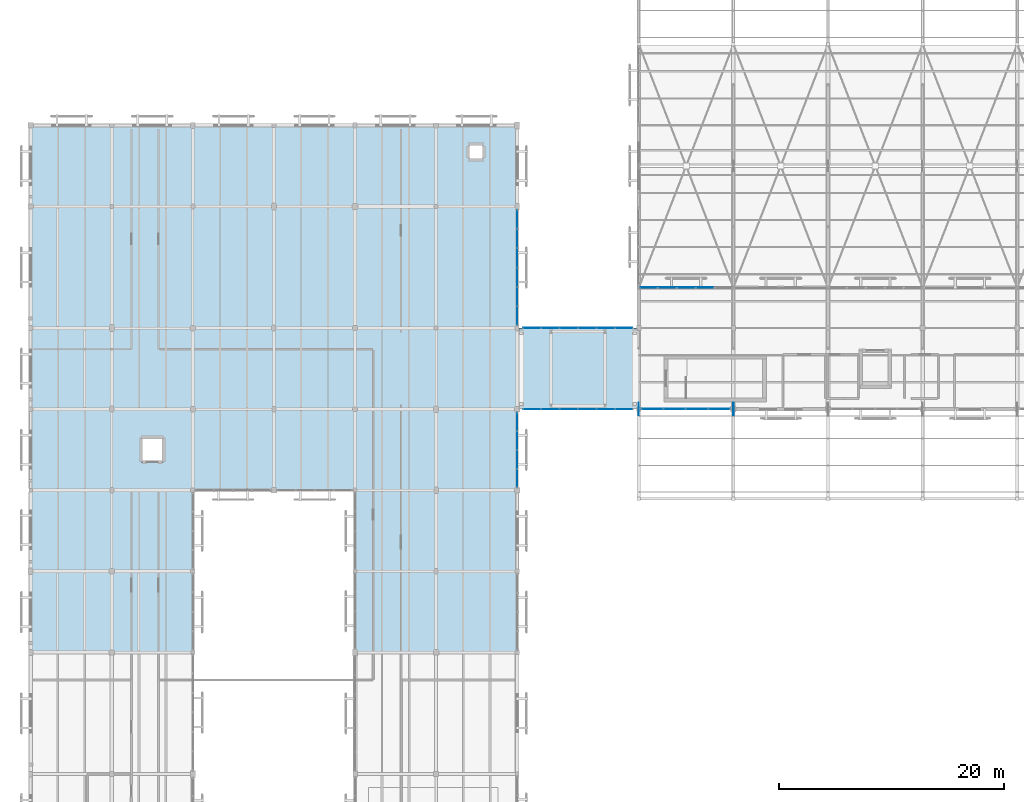
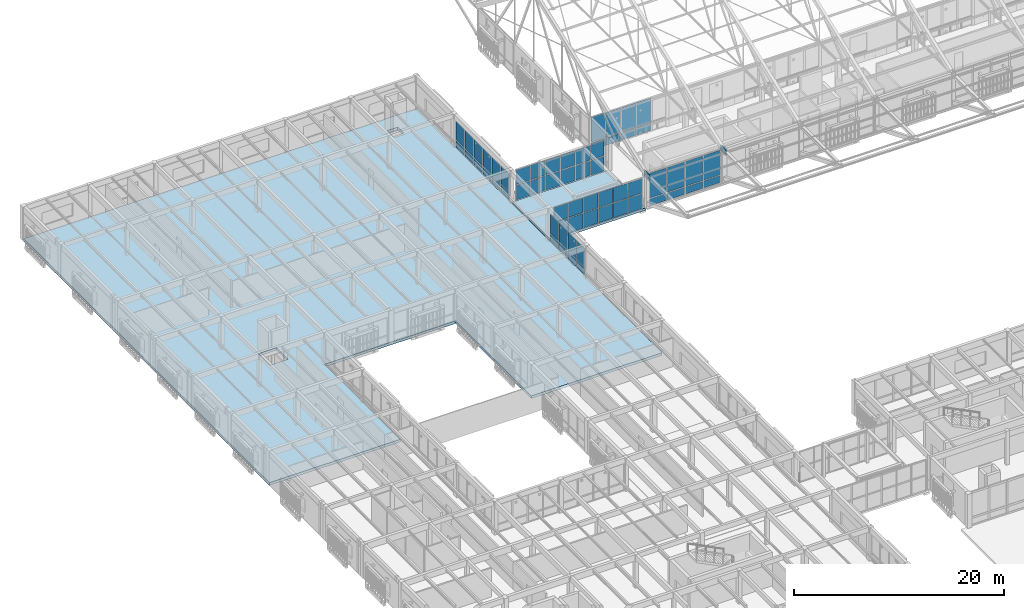
# One storey, part 168 of 217: 62 plates, 2 slabs, 6 elements without a shape of their own.
"""IFC4 building model written with IfcOpenShell, lengths in metres."""

from ifc_helpers import new_model, si_unit, direction, frame, origin, origin_2d, place, context, subcontext, project, spatial, polyline, rectangle, outline, extrude, material, layer, layer_set, type_object, element, aggregate, save


model = new_model("IFC4")

# Units and contexts
model_context = context("Model", 3, precision=1e-05, world=origin(), true_north=direction((0.0, 1.0)))
body_context = subcontext(model_context, "Body", "Model", "MODEL_VIEW")
ifc_project = project(units=[si_unit("LENGTHUNIT", "METRE"), si_unit("AREAUNIT", "SQUARE_METRE"), si_unit("VOLUMEUNIT", "CUBIC_METRE"), si_unit("PLANEANGLEUNIT", "RADIAN"), si_unit("MASSUNIT", "GRAM", prefix="KILO")], contexts=[model_context])

# Site, building, storey
site_placement = place(None, origin())
site = spatial("IfcSite", under=ifc_project, at=site_placement, CompositionType="ELEMENT")
building_placement = place(site_placement, origin())
building = spatial("IfcBuilding", under=site, at=building_placement, Name="Mazaris Harbour Polytechnic", CompositionType="ELEMENT")
storey_placement = place(building_placement, frame((0.0, 0.0, 9.60009765625)))
storey = spatial("IfcBuildingStorey", under=building, at=storey_placement, Name="L02", CompositionType="ELEMENT", Elevation=9.60009765625)

# Curtain wall, plates
ifc_material_1 = material(Name="Anodised Bronze Aluminium and Low-E Glass", Category="aluminium")
ifc_layer_1 = layer(ifc_material_1, 0.14990234375, Name="Anodised Bronze Aluminium and Low-E Glass")
ifc_layer_set_1 = layer_set([ifc_layer_1], Name="Anodised Bronze Aluminium and Low-E Glass")
curtain_wall_type_1 = type_object("IfcCurtainWallType", Name="Workshop Clerestory Curtain Wall", PredefinedType="NOTDEFINED", material=ifc_layer_set_1)
curtain_wall_1_placement = place(storey_placement, origin())
curtain_wall_1 = element("IfcCurtainWall", 1, at=curtain_wall_1_placement, inside=storey, type_object=curtain_wall_type_1, Name="V1 L02 Curtain Wall 25", PredefinedType="NOTDEFINED")
ifc_material_2 = material(Name="Acoustic Low-E Double Glazing", Category="glass")
ifc_layer_2 = layer(ifc_material_2, 0.033935546875, Name="Acoustic Low-E Double Glazing")
ifc_layer_set_2 = layer_set([ifc_layer_2], Name="Acoustic Low-E Double Glazing")
plate_type_1 = type_object("IfcPlateType", Name="Acoustic Laminated Glass Panel 34", PredefinedType="CURTAIN_PANEL", material=ifc_layer_set_2)
plate_1_placement = place(storey_placement, frame((61.135986328125, 75.60009765625, 0.079833984375), z_axis=(0.0, 0.0, 1.0), x_axis=(-1.0, 0.0, 0.0)))
plate_1 = element("IfcPlate", 2, at=plate_1_placement, type_object=plate_type_1, Name="CW-04 panel 1.1", PredefinedType="CURTAIN_PANEL", context=body_context, shape_type="SweptSolid", body=[
    extrude(rectangle(XDim=1.843994140625, YDim=0.033935546875, at=origin_2d()), origin(), (0.0, 0.0, 1.0), 0.830078125),
])
plate_2_placement = place(storey_placement, frame((61.135986328125, 75.60009765625, 0.98974609375), z_axis=(0.0, 0.0, 1.0), x_axis=(-1.0, 0.0, 0.0)))
plate_2 = element("IfcPlate", 3, at=plate_2_placement, type_object=plate_type_1, Name="CW-04 panel 1.2", PredefinedType="CURTAIN_PANEL", context=body_context, shape_type="SweptSolid", body=[
    extrude(rectangle(XDim=1.843994140625, YDim=0.033935546875, at=origin_2d()), origin(), (0.0, 0.0, 1.0), 2.889892578125),
])
plate_3_placement = place(storey_placement, frame((59.1669921875, 75.60009765625, 0.079833984375), z_axis=(0.0, 0.0, 1.0), x_axis=(-1.0, 0.0, 0.0)))
plate_3 = element("IfcPlate", 4, at=plate_3_placement, type_object=plate_type_1, Name="CW-04 panel 2.1", PredefinedType="CURTAIN_PANEL", context=body_context, shape_type="SweptSolid", body=[
    extrude(rectangle(XDim=1.89404296875, YDim=0.033935546875, at=origin_2d()), origin(), (0.0, 0.0, 1.0), 0.830078125),
])
plate_4_placement = place(storey_placement, frame((59.1669921875, 75.60009765625, 0.98974609375), z_axis=(0.0, 0.0, 1.0), x_axis=(-1.0, 0.0, 0.0)))
plate_4 = element("IfcPlate", 5, at=plate_4_placement, type_object=plate_type_1, Name="CW-04 panel 2.2", PredefinedType="CURTAIN_PANEL", context=body_context, shape_type="SweptSolid", body=[
    extrude(rectangle(XDim=1.89404296875, YDim=0.033935546875, at=origin_2d()), origin(), (0.0, 0.0, 1.0), 2.889892578125),
])
plate_5_placement = place(storey_placement, frame((57.173095703125, 75.60009765625, 0.079833984375), z_axis=(0.0, 0.0, 1.0), x_axis=(-1.0, 0.0, 0.0)))
plate_5 = element("IfcPlate", 6, at=plate_5_placement, type_object=plate_type_1, Name="CW-04 panel 3.1", PredefinedType="CURTAIN_PANEL", context=body_context, shape_type="SweptSolid", body=[
    extrude(rectangle(XDim=1.89404296875, YDim=0.033935546875, at=origin_2d()), origin(), (0.0, 0.0, 1.0), 0.830078125),
])
plate_6_placement = place(storey_placement, frame((57.173095703125, 75.60009765625, 0.98974609375), z_axis=(0.0, 0.0, 1.0), x_axis=(-1.0, 0.0, 0.0)))
plate_6 = element("IfcPlate", 7, at=plate_6_placement, type_object=plate_type_1, Name="CW-04 panel 3.2", PredefinedType="CURTAIN_PANEL", context=body_context, shape_type="SweptSolid", body=[
    extrude(rectangle(XDim=1.89404296875, YDim=0.033935546875, at=origin_2d()), origin(), (0.0, 0.0, 1.0), 2.889892578125),
])
plate_7_placement = place(storey_placement, frame((55.2041015625, 75.60009765625, 0.079833984375), z_axis=(0.0, 0.0, 1.0), x_axis=(-1.0, 0.0, 0.0)))
plate_7 = element("IfcPlate", 8, at=plate_7_placement, type_object=plate_type_1, Name="CW-04 panel 4.1", PredefinedType="CURTAIN_PANEL", context=body_context, shape_type="SweptSolid", body=[
    extrude(rectangle(XDim=1.843994140625, YDim=0.033935546875, at=origin_2d()), origin(), (0.0, 0.0, 1.0), 0.830078125),
])
plate_8_placement = place(storey_placement, frame((55.2041015625, 75.60009765625, 0.98974609375), z_axis=(0.0, 0.0, 1.0), x_axis=(-1.0, 0.0, 0.0)))
plate_8 = element("IfcPlate", 9, at=plate_8_placement, type_object=plate_type_1, Name="CW-04 panel 4.2", PredefinedType="CURTAIN_PANEL", context=body_context, shape_type="SweptSolid", body=[
    extrude(rectangle(XDim=1.843994140625, YDim=0.033935546875, at=origin_2d()), origin(), (0.0, 0.0, 1.0), 2.889892578125),
])
aggregate(curtain_wall_1, [plate_1, plate_2, plate_3, plate_4, plate_5, plate_6, plate_7, plate_8])

curtain_wall_2_placement = place(storey_placement, origin())
curtain_wall_2 = element("IfcCurtainWall", 10, at=curtain_wall_2_placement, inside=storey, type_object=curtain_wall_type_1, Name="V1 L02 Curtain Wall 29", PredefinedType="NOTDEFINED")
plate_9_placement = place(storey_placement, frame((54.871337890625, 86.39990234375, 0.079833984375), z_axis=(0.0, 0.0, 1.0), x_axis=(1.0, 0.0, 0.0)))
plate_9 = element("IfcPlate", 11, at=plate_9_placement, type_object=plate_type_1, Name="CW-04 panel 1.1", PredefinedType="CURTAIN_PANEL", context=body_context, shape_type="SweptSolid", body=[
    extrude(rectangle(XDim=1.52685546875, YDim=0.033935546875, at=origin_2d()), origin(), (0.0, 0.0, 1.0), 0.830078125),
])
plate_10_placement = place(storey_placement, frame((54.871337890625, 86.39990234375, 0.98974609375), z_axis=(0.0, 0.0, 1.0), x_axis=(1.0, 0.0, 0.0)))
plate_10 = element("IfcPlate", 12, at=plate_10_placement, type_object=plate_type_1, Name="CW-04 panel 1.2", PredefinedType="CURTAIN_PANEL", context=body_context, shape_type="SweptSolid", body=[
    extrude(rectangle(XDim=1.52685546875, YDim=0.033935546875, at=origin_2d()), origin(), (0.0, 0.0, 1.0), 2.889892578125),
])
plate_11_placement = place(storey_placement, frame((56.523193359375, 86.39990234375, 0.079833984375), z_axis=(0.0, 0.0, 1.0), x_axis=(1.0, 0.0, 0.0)))
plate_11 = element("IfcPlate", 13, at=plate_11_placement, type_object=plate_type_1, Name="CW-04 panel 2.1", PredefinedType="CURTAIN_PANEL", context=body_context, shape_type="SweptSolid", body=[
    extrude(rectangle(XDim=1.576904296875, YDim=0.033935546875, at=origin_2d()), origin(), (0.0, 0.0, 1.0), 0.830078125),
])
plate_12_placement = place(storey_placement, frame((56.523193359375, 86.39990234375, 0.98974609375), z_axis=(0.0, 0.0, 1.0), x_axis=(1.0, 0.0, 0.0)))
plate_12 = element("IfcPlate", 14, at=plate_12_placement, type_object=plate_type_1, Name="CW-04 panel 2.2", PredefinedType="CURTAIN_PANEL", context=body_context, shape_type="SweptSolid", body=[
    extrude(rectangle(XDim=1.576904296875, YDim=0.033935546875, at=origin_2d()), origin(), (0.0, 0.0, 1.0), 2.889892578125),
])
plate_13_placement = place(storey_placement, frame((58.199951171875, 86.39990234375, 0.079833984375), z_axis=(0.0, 0.0, 1.0), x_axis=(1.0, 0.0, 0.0)))
plate_13 = element("IfcPlate", 15, at=plate_13_placement, type_object=plate_type_1, Name="CW-04 panel 3.1", PredefinedType="CURTAIN_PANEL", context=body_context, shape_type="SweptSolid", body=[
    extrude(rectangle(XDim=1.576904296875, YDim=0.033935546875, at=origin_2d()), origin(), (0.0, 0.0, 1.0), 0.830078125),
])
plate_14_placement = place(storey_placement, frame((58.199951171875, 86.39990234375, 0.98974609375), z_axis=(0.0, 0.0, 1.0), x_axis=(1.0, 0.0, 0.0)))
plate_14 = element("IfcPlate", 16, at=plate_14_placement, type_object=plate_type_1, Name="CW-04 panel 3.2", PredefinedType="CURTAIN_PANEL", context=body_context, shape_type="SweptSolid", body=[
    extrude(rectangle(XDim=1.576904296875, YDim=0.033935546875, at=origin_2d()), origin(), (0.0, 0.0, 1.0), 2.889892578125),
])
plate_15_placement = place(storey_placement, frame((59.876708984375, 86.39990234375, 0.079833984375), z_axis=(0.0, 0.0, 1.0), x_axis=(1.0, 0.0, 0.0)))
plate_15 = element("IfcPlate", 17, at=plate_15_placement, type_object=plate_type_1, Name="CW-04 panel 4.1", PredefinedType="CURTAIN_PANEL", context=body_context, shape_type="SweptSolid", body=[
    extrude(rectangle(XDim=1.576904296875, YDim=0.033935546875, at=origin_2d()), origin(), (0.0, 0.0, 1.0), 0.830078125),
])
plate_16_placement = place(storey_placement, frame((59.876708984375, 86.39990234375, 0.98974609375), z_axis=(0.0, 0.0, 1.0), x_axis=(1.0, 0.0, 0.0)))
plate_16 = element("IfcPlate", 18, at=plate_16_placement, type_object=plate_type_1, Name="CW-04 panel 4.2", PredefinedType="CURTAIN_PANEL", context=body_context, shape_type="SweptSolid", body=[
    extrude(rectangle(XDim=1.576904296875, YDim=0.033935546875, at=origin_2d()), origin(), (0.0, 0.0, 1.0), 2.889892578125),
])
aggregate(curtain_wall_2, [plate_9, plate_10, plate_11, plate_12, plate_13, plate_14, plate_15, plate_16])

# Slabs
ifc_material_3 = material(Name="Glulam GL28h and Concrete C30/37", Category="concrete")
ifc_layer_3 = layer(ifc_material_3, 0.264892578125, Name="Glulam GL28h and Concrete C30/37")
ifc_layer_set_3 = layer_set([ifc_layer_3], Name="Glulam GL28h and Concrete C30/37")
slab_type_1 = type_object("IfcSlabType", Name="CLT Composite Floor 265", PredefinedType="FLOOR", material=ifc_layer_set_3)
slab_1_placement = place(storey_placement, frame((0.0, 0.0, -0.26513671875)))
element("IfcSlab", 19, at=slab_1_placement, inside=storey, type_object=slab_type_1, Name="PB-W2 L02 Bridge Deck", PredefinedType="FLOOR", context=body_context, shape_type="SweptSolid", body=[
    extrude(outline(polyline([(53.85009765625, 75.60009765625), (53.85009765625, 82.800048828125), (43.35009765625, 82.800048828125), (43.35009765625, 75.60009765625), (53.85009765625, 75.60009765625)])), origin(), (0.0, 0.0, 1.0), 0.26513671875),
])
ifc_material_4 = material(Name="Glulam GL28h and Concrete C30/37", Category="concrete")
ifc_layer_4 = layer(ifc_material_4, 0.31005859375, Name="Glulam GL28h and Concrete C30/37")
ifc_layer_set_4 = layer_set([ifc_layer_4], Name="Glulam GL28h and Concrete C30/37")
slab_type_2 = type_object("IfcSlabType", Name="CLT Library Stack Floor 310", PredefinedType="FLOOR", material=ifc_layer_set_4)
slab_2_placement = place(storey_placement, frame((0.0, 0.0, -0.31005859375)))
element("IfcSlab", 20, at=slab_2_placement, inside=storey, type_object=slab_type_2, Name="V4 L02 Floor Slab", PredefinedType="FLOOR", context=body_context, shape_type="SweptSolid", body=[
    extrude(outline(polyline([(43.199951171875, 54.0), (28.800048828125, 54.0), (28.800048828125, 68.39990234375), (14.39990234375, 68.39990234375), (14.39990234375, 54.0), (0.0, 54.0), (0.0, 100.800048828125), (43.199951171875, 100.800048828125), (43.199951171875, 54.0)]), holes=[polyline([(11.800048828125, 70.89990234375), (11.800048828125, 73.10009765625), (9.800048828125, 73.10009765625), (9.800048828125, 70.89990234375), (11.800048828125, 70.89990234375)]), polyline([(38.97998046875, 99.0), (38.97998046875, 97.8798828125), (40.10009765625, 97.8798828125), (40.10009765625, 99.0), (38.97998046875, 99.0)])]), origin(), (0.0, 0.0, 1.0), 0.31005859375),
])

# Curtain wall, plates
ifc_material_5 = material(Name="Anodised Bronze Aluminium and Low-E Glass", Category="aluminium")
ifc_layer_5 = layer(ifc_material_5, 0.159912109375, Name="Anodised Bronze Aluminium and Low-E Glass")
ifc_layer_set_5 = layer_set([ifc_layer_5], Name="Anodised Bronze Aluminium and Low-E Glass")
curtain_wall_type_2 = type_object("IfcCurtainWallType", Name="Cloister Court Curtain Wall", PredefinedType="NOTDEFINED", material=ifc_layer_set_5)
curtain_wall_3_placement = place(storey_placement, origin())
curtain_wall_3 = element("IfcCurtainWall", 21, at=curtain_wall_3_placement, inside=storey, type_object=curtain_wall_type_2, Name="V4 L02 Curtain Wall 131", PredefinedType="NOTDEFINED")
ifc_material_6 = material(Name="Low-E Double Glazing", Category="glass")
ifc_layer_6 = layer(ifc_material_6, 0.028076171875, Name="Low-E Double Glazing")
ifc_layer_set_6 = layer_set([ifc_layer_6], Name="Low-E Double Glazing")
plate_type_2 = type_object("IfcPlateType", Name="Low-E Vision Glass Panel 28", PredefinedType="CURTAIN_PANEL", material=ifc_layer_set_6)
plate_17_placement = place(storey_placement, frame((43.199951171875, 74.49609375, 0.079833984375), z_axis=(0.0, 0.0, 1.0), x_axis=(0.0, -1.0, 0.0)))
plate_17 = element("IfcPlate", 22, at=plate_17_placement, type_object=plate_type_2, Name="CW-02 panel 1.1", PredefinedType="CURTAIN_PANEL", context=body_context, shape_type="SweptSolid", body=[
    extrude(rectangle(XDim=1.56396484375, YDim=0.028076171875, at=origin_2d()), origin(), (0.0, 0.0, 1.0), 0.830078125),
])
plate_18_placement = place(storey_placement, frame((43.199951171875, 74.49609375, 0.989990234375), z_axis=(0.0, 0.0, 1.0), x_axis=(0.0, -1.0, 0.0)))
plate_18 = element("IfcPlate", 23, at=plate_18_placement, type_object=plate_type_2, Name="CW-02 panel 1.2", PredefinedType="CURTAIN_PANEL", context=body_context, shape_type="SweptSolid", body=[
    extrude(rectangle(XDim=1.56396484375, YDim=0.028076171875, at=origin_2d()), origin(), (0.0, 0.0, 1.0), 2.22998046875),
])
plate_19_placement = place(storey_placement, frame((43.199951171875, 72.83203125, 0.079833984375), z_axis=(0.0, 0.0, 1.0), x_axis=(0.0, -1.0, 0.0)))
plate_19 = element("IfcPlate", 24, at=plate_19_placement, type_object=plate_type_2, Name="CW-02 panel 2.1", PredefinedType="CURTAIN_PANEL", context=body_context, shape_type="SweptSolid", body=[
    extrude(rectangle(XDim=1.60400390625, YDim=0.028076171875, at=origin_2d()), origin(), (0.0, 0.0, 1.0), 0.830078125),
])
plate_20_placement = place(storey_placement, frame((43.199951171875, 72.83203125, 0.989990234375), z_axis=(0.0, 0.0, 1.0), x_axis=(0.0, -1.0, 0.0)))
plate_20 = element("IfcPlate", 25, at=plate_20_placement, type_object=plate_type_2, Name="CW-02 panel 2.2", PredefinedType="CURTAIN_PANEL", context=body_context, shape_type="SweptSolid", body=[
    extrude(rectangle(XDim=1.60400390625, YDim=0.028076171875, at=origin_2d()), origin(), (0.0, 0.0, 1.0), 2.22998046875),
])
plate_21_placement = place(storey_placement, frame((43.199951171875, 71.14794921875, 0.079833984375), z_axis=(0.0, 0.0, 1.0), x_axis=(0.0, -1.0, 0.0)))
plate_21 = element("IfcPlate", 26, at=plate_21_placement, type_object=plate_type_2, Name="CW-02 panel 3.1", PredefinedType="CURTAIN_PANEL", context=body_context, shape_type="SweptSolid", body=[
    extrude(rectangle(XDim=1.60400390625, YDim=0.028076171875, at=origin_2d()), origin(), (0.0, 0.0, 1.0), 0.830078125),
])
plate_22_placement = place(storey_placement, frame((43.199951171875, 71.14794921875, 0.989990234375), z_axis=(0.0, 0.0, 1.0), x_axis=(0.0, -1.0, 0.0)))
plate_22 = element("IfcPlate", 27, at=plate_22_placement, type_object=plate_type_2, Name="CW-02 panel 3.2", PredefinedType="CURTAIN_PANEL", context=body_context, shape_type="SweptSolid", body=[
    extrude(rectangle(XDim=1.60400390625, YDim=0.028076171875, at=origin_2d()), origin(), (0.0, 0.0, 1.0), 2.22998046875),
])
plate_23_placement = place(storey_placement, frame((43.199951171875, 69.48388671875, 0.079833984375), z_axis=(0.0, 0.0, 1.0), x_axis=(0.0, -1.0, 0.0)))
plate_23 = element("IfcPlate", 28, at=plate_23_placement, type_object=plate_type_2, Name="CW-02 panel 4.1", PredefinedType="CURTAIN_PANEL", context=body_context, shape_type="SweptSolid", body=[
    extrude(rectangle(XDim=1.56396484375, YDim=0.028076171875, at=origin_2d()), origin(), (0.0, 0.0, 1.0), 0.830078125),
])
plate_24_placement = place(storey_placement, frame((43.199951171875, 69.48388671875, 0.989990234375), z_axis=(0.0, 0.0, 1.0), x_axis=(0.0, -1.0, 0.0)))
plate_24 = element("IfcPlate", 29, at=plate_24_placement, type_object=plate_type_2, Name="CW-02 panel 4.2", PredefinedType="CURTAIN_PANEL", context=body_context, shape_type="SweptSolid", body=[
    extrude(rectangle(XDim=1.56396484375, YDim=0.028076171875, at=origin_2d()), origin(), (0.0, 0.0, 1.0), 2.22998046875),
])
aggregate(curtain_wall_3, [plate_17, plate_18, plate_19, plate_20, plate_21, plate_22, plate_23, plate_24])

curtain_wall_4_placement = place(storey_placement, origin())
curtain_wall_4 = element("IfcCurtainWall", 30, at=curtain_wall_4_placement, inside=storey, type_object=curtain_wall_type_2, Name="V4 L02 Curtain Wall 132", PredefinedType="NOTDEFINED")
plate_25_placement = place(storey_placement, frame((43.199951171875, 92.459228515625, 0.079833984375), z_axis=(0.0, 0.0, 1.0), x_axis=(0.0, -1.0, 0.0)))
plate_25 = element("IfcPlate", 31, at=plate_25_placement, type_object=plate_type_2, Name="CW-02 panel 1.1", PredefinedType="CURTAIN_PANEL", context=body_context, shape_type="SweptSolid", body=[
    extrude(rectangle(XDim=1.59765625, YDim=0.028076171875, at=origin_2d()), origin(), (0.0, 0.0, 1.0), 0.830078125),
])
plate_26_placement = place(storey_placement, frame((43.199951171875, 92.459228515625, 0.989990234375), z_axis=(0.0, 0.0, 1.0), x_axis=(0.0, -1.0, 0.0)))
plate_26 = element("IfcPlate", 32, at=plate_26_placement, type_object=plate_type_2, Name="CW-02 panel 1.2", PredefinedType="CURTAIN_PANEL", context=body_context, shape_type="SweptSolid", body=[
    extrude(rectangle(XDim=1.59765625, YDim=0.028076171875, at=origin_2d()), origin(), (0.0, 0.0, 1.0), 2.1298828125),
])
plate_27_placement = place(storey_placement, frame((43.199951171875, 90.761474609375, 0.079833984375), z_axis=(0.0, 0.0, 1.0), x_axis=(0.0, -1.0, 0.0)))
plate_27 = element("IfcPlate", 33, at=plate_27_placement, type_object=plate_type_2, Name="CW-02 panel 2.1", PredefinedType="CURTAIN_PANEL", context=body_context, shape_type="SweptSolid", body=[
    extrude(rectangle(XDim=1.6376953125, YDim=0.028076171875, at=origin_2d()), origin(), (0.0, 0.0, 1.0), 0.830078125),
])
plate_28_placement = place(storey_placement, frame((43.199951171875, 90.761474609375, 0.989990234375), z_axis=(0.0, 0.0, 1.0), x_axis=(0.0, -1.0, 0.0)))
plate_28 = element("IfcPlate", 34, at=plate_28_placement, type_object=plate_type_2, Name="CW-02 panel 2.2", PredefinedType="CURTAIN_PANEL", context=body_context, shape_type="SweptSolid", body=[
    extrude(rectangle(XDim=1.6376953125, YDim=0.028076171875, at=origin_2d()), origin(), (0.0, 0.0, 1.0), 2.1298828125),
])
plate_29_placement = place(storey_placement, frame((43.199951171875, 89.0439453125, 0.079833984375), z_axis=(0.0, 0.0, 1.0), x_axis=(0.0, -1.0, 0.0)))
plate_29 = element("IfcPlate", 35, at=plate_29_placement, type_object=plate_type_2, Name="CW-02 panel 3.1", PredefinedType="CURTAIN_PANEL", context=body_context, shape_type="SweptSolid", body=[
    extrude(rectangle(XDim=1.6376953125, YDim=0.028076171875, at=origin_2d()), origin(), (0.0, 0.0, 1.0), 0.830078125),
])
plate_30_placement = place(storey_placement, frame((43.199951171875, 89.0439453125, 0.989990234375), z_axis=(0.0, 0.0, 1.0), x_axis=(0.0, -1.0, 0.0)))
plate_30 = element("IfcPlate", 36, at=plate_30_placement, type_object=plate_type_2, Name="CW-02 panel 3.2", PredefinedType="CURTAIN_PANEL", context=body_context, shape_type="SweptSolid", body=[
    extrude(rectangle(XDim=1.6376953125, YDim=0.028076171875, at=origin_2d()), origin(), (0.0, 0.0, 1.0), 2.1298828125),
])
plate_31_placement = place(storey_placement, frame((43.199951171875, 87.326171875, 0.079833984375), z_axis=(0.0, 0.0, 1.0), x_axis=(0.0, -1.0, 0.0)))
plate_31 = element("IfcPlate", 37, at=plate_31_placement, type_object=plate_type_2, Name="CW-02 panel 4.1", PredefinedType="CURTAIN_PANEL", context=body_context, shape_type="SweptSolid", body=[
    extrude(rectangle(XDim=1.6376953125, YDim=0.028076171875, at=origin_2d()), origin(), (0.0, 0.0, 1.0), 0.830078125),
])
plate_32_placement = place(storey_placement, frame((43.199951171875, 87.326171875, 0.989990234375), z_axis=(0.0, 0.0, 1.0), x_axis=(0.0, -1.0, 0.0)))
plate_32 = element("IfcPlate", 38, at=plate_32_placement, type_object=plate_type_2, Name="CW-02 panel 4.2", PredefinedType="CURTAIN_PANEL", context=body_context, shape_type="SweptSolid", body=[
    extrude(rectangle(XDim=1.6376953125, YDim=0.028076171875, at=origin_2d()), origin(), (0.0, 0.0, 1.0), 2.1298828125),
])
plate_33_placement = place(storey_placement, frame((43.199951171875, 85.6083984375, 0.079833984375), z_axis=(0.0, 0.0, 1.0), x_axis=(0.0, -1.0, 0.0)))
plate_33 = element("IfcPlate", 39, at=plate_33_placement, type_object=plate_type_2, Name="CW-02 panel 5.1", PredefinedType="CURTAIN_PANEL", context=body_context, shape_type="SweptSolid", body=[
    extrude(rectangle(XDim=1.6376953125, YDim=0.028076171875, at=origin_2d()), origin(), (0.0, 0.0, 1.0), 0.830078125),
])
plate_34_placement = place(storey_placement, frame((43.199951171875, 85.6083984375, 0.989990234375), z_axis=(0.0, 0.0, 1.0), x_axis=(0.0, -1.0, 0.0)))
plate_34 = element("IfcPlate", 40, at=plate_34_placement, type_object=plate_type_2, Name="CW-02 panel 5.2", PredefinedType="CURTAIN_PANEL", context=body_context, shape_type="SweptSolid", body=[
    extrude(rectangle(XDim=1.6376953125, YDim=0.028076171875, at=origin_2d()), origin(), (0.0, 0.0, 1.0), 2.1298828125),
])
plate_35_placement = place(storey_placement, frame((43.199951171875, 83.910888671875, 0.079833984375), z_axis=(0.0, 0.0, 1.0), x_axis=(0.0, -1.0, 0.0)))
plate_35 = element("IfcPlate", 41, at=plate_35_placement, type_object=plate_type_2, Name="CW-02 panel 6.1", PredefinedType="CURTAIN_PANEL", context=body_context, shape_type="SweptSolid", body=[
    extrude(rectangle(XDim=1.59765625, YDim=0.028076171875, at=origin_2d()), origin(), (0.0, 0.0, 1.0), 0.830078125),
])
plate_36_placement = place(storey_placement, frame((43.199951171875, 83.910888671875, 0.989990234375), z_axis=(0.0, 0.0, 1.0), x_axis=(0.0, -1.0, 0.0)))
plate_36 = element("IfcPlate", 42, at=plate_36_placement, type_object=plate_type_2, Name="CW-02 panel 6.2", PredefinedType="CURTAIN_PANEL", context=body_context, shape_type="SweptSolid", body=[
    extrude(rectangle(XDim=1.59765625, YDim=0.028076171875, at=origin_2d()), origin(), (0.0, 0.0, 1.0), 2.1298828125),
])
aggregate(curtain_wall_4, [plate_25, plate_26, plate_27, plate_28, plate_29, plate_30, plate_31, plate_32, plate_33, plate_34, plate_35, plate_36])

ifc_material_7 = material(Name="Anodised Bronze Aluminium and Low-E Glass", Category="aluminium")
ifc_layer_7 = layer(ifc_material_7, 0.139892578125, Name="Anodised Bronze Aluminium and Low-E Glass")
ifc_layer_set_7 = layer_set([ifc_layer_7], Name="Anodised Bronze Aluminium and Low-E Glass")
curtain_wall_type_3 = type_object("IfcCurtainWallType", Name="Seismic Link Bridge Glazing", PredefinedType="NOTDEFINED", material=ifc_layer_set_7)
curtain_wall_5_placement = place(storey_placement, origin())
curtain_wall_5 = element("IfcCurtainWall", 43, at=curtain_wall_5_placement, inside=storey, type_object=curtain_wall_type_3, Name="PB-W2 L02 Bridge Glazing", PredefinedType="NOTDEFINED")
plate_37_placement = place(storey_placement, frame((44.52001953125, 75.60009765625, 0.079833984375), z_axis=(0.0, 0.0, 1.0), x_axis=(1.0, 0.0, 0.0)))
plate_37 = element("IfcPlate", 44, at=plate_37_placement, type_object=plate_type_2, Name="CW-05 panel 1.1", PredefinedType="CURTAIN_PANEL", context=body_context, shape_type="SweptSolid", body=[
    extrude(rectangle(XDim=1.52001953125, YDim=0.028076171875, at=origin_2d()), origin(), (0.0, 0.0, 1.0), 1.7099609375),
])
plate_38_placement = place(storey_placement, frame((44.52001953125, 75.60009765625, 1.869873046875), z_axis=(0.0, 0.0, 1.0), x_axis=(1.0, 0.0, 0.0)))
plate_38 = element("IfcPlate", 45, at=plate_38_placement, type_object=plate_type_2, Name="CW-05 panel 1.2", PredefinedType="CURTAIN_PANEL", context=body_context, shape_type="SweptSolid", body=[
    extrude(rectangle(XDim=1.52001953125, YDim=0.028076171875, at=origin_2d()), origin(), (0.0, 0.0, 1.0), 1.7099609375),
])
plate_39_placement = place(storey_placement, frame((46.139892578125, 75.60009765625, 0.079833984375), z_axis=(0.0, 0.0, 1.0), x_axis=(1.0, 0.0, 0.0)))
plate_39 = element("IfcPlate", 46, at=plate_39_placement, type_object=plate_type_2, Name="CW-05 panel 2.1", PredefinedType="CURTAIN_PANEL", context=body_context, shape_type="SweptSolid", body=[
    extrude(rectangle(XDim=1.56005859375, YDim=0.028076171875, at=origin_2d()), origin(), (0.0, 0.0, 1.0), 1.7099609375),
])
plate_40_placement = place(storey_placement, frame((46.139892578125, 75.60009765625, 1.869873046875), z_axis=(0.0, 0.0, 1.0), x_axis=(1.0, 0.0, 0.0)))
plate_40 = element("IfcPlate", 47, at=plate_40_placement, type_object=plate_type_2, Name="CW-05 panel 2.2", PredefinedType="CURTAIN_PANEL", context=body_context, shape_type="SweptSolid", body=[
    extrude(rectangle(XDim=1.56005859375, YDim=0.028076171875, at=origin_2d()), origin(), (0.0, 0.0, 1.0), 1.7099609375),
])
plate_41_placement = place(storey_placement, frame((47.780029296875, 75.60009765625, 0.079833984375), z_axis=(0.0, 0.0, 1.0), x_axis=(1.0, 0.0, 0.0)))
plate_41 = element("IfcPlate", 48, at=plate_41_placement, type_object=plate_type_2, Name="CW-05 panel 3.1", PredefinedType="CURTAIN_PANEL", context=body_context, shape_type="SweptSolid", body=[
    extrude(rectangle(XDim=1.56005859375, YDim=0.028076171875, at=origin_2d()), origin(), (0.0, 0.0, 1.0), 1.7099609375),
])
plate_42_placement = place(storey_placement, frame((47.780029296875, 75.60009765625, 1.869873046875), z_axis=(0.0, 0.0, 1.0), x_axis=(1.0, 0.0, 0.0)))
plate_42 = element("IfcPlate", 49, at=plate_42_placement, type_object=plate_type_2, Name="CW-05 panel 3.2", PredefinedType="CURTAIN_PANEL", context=body_context, shape_type="SweptSolid", body=[
    extrude(rectangle(XDim=1.56005859375, YDim=0.028076171875, at=origin_2d()), origin(), (0.0, 0.0, 1.0), 1.7099609375),
])
plate_43_placement = place(storey_placement, frame((49.419921875, 75.60009765625, 0.079833984375), z_axis=(0.0, 0.0, 1.0), x_axis=(1.0, 0.0, 0.0)))
plate_43 = element("IfcPlate", 50, at=plate_43_placement, type_object=plate_type_2, Name="CW-05 panel 4.1", PredefinedType="CURTAIN_PANEL", context=body_context, shape_type="SweptSolid", body=[
    extrude(rectangle(XDim=1.56005859375, YDim=0.028076171875, at=origin_2d()), origin(), (0.0, 0.0, 1.0), 1.7099609375),
])
plate_44_placement = place(storey_placement, frame((49.419921875, 75.60009765625, 1.869873046875), z_axis=(0.0, 0.0, 1.0), x_axis=(1.0, 0.0, 0.0)))
plate_44 = element("IfcPlate", 51, at=plate_44_placement, type_object=plate_type_2, Name="CW-05 panel 4.2", PredefinedType="CURTAIN_PANEL", context=body_context, shape_type="SweptSolid", body=[
    extrude(rectangle(XDim=1.56005859375, YDim=0.028076171875, at=origin_2d()), origin(), (0.0, 0.0, 1.0), 1.7099609375),
])
plate_45_placement = place(storey_placement, frame((51.06005859375, 75.60009765625, 0.079833984375), z_axis=(0.0, 0.0, 1.0), x_axis=(1.0, 0.0, 0.0)))
plate_45 = element("IfcPlate", 52, at=plate_45_placement, type_object=plate_type_2, Name="CW-05 panel 5.1", PredefinedType="CURTAIN_PANEL", context=body_context, shape_type="SweptSolid", body=[
    extrude(rectangle(XDim=1.56005859375, YDim=0.028076171875, at=origin_2d()), origin(), (0.0, 0.0, 1.0), 1.7099609375),
])
plate_46_placement = place(storey_placement, frame((51.06005859375, 75.60009765625, 1.869873046875), z_axis=(0.0, 0.0, 1.0), x_axis=(1.0, 0.0, 0.0)))
plate_46 = element("IfcPlate", 53, at=plate_46_placement, type_object=plate_type_2, Name="CW-05 panel 5.2", PredefinedType="CURTAIN_PANEL", context=body_context, shape_type="SweptSolid", body=[
    extrude(rectangle(XDim=1.56005859375, YDim=0.028076171875, at=origin_2d()), origin(), (0.0, 0.0, 1.0), 1.7099609375),
])
plate_47_placement = place(storey_placement, frame((52.679931640625, 75.60009765625, 0.079833984375), z_axis=(0.0, 0.0, 1.0), x_axis=(1.0, 0.0, 0.0)))
plate_47 = element("IfcPlate", 54, at=plate_47_placement, type_object=plate_type_2, Name="CW-05 panel 6.1", PredefinedType="CURTAIN_PANEL", context=body_context, shape_type="SweptSolid", body=[
    extrude(rectangle(XDim=1.52001953125, YDim=0.028076171875, at=origin_2d()), origin(), (0.0, 0.0, 1.0), 1.7099609375),
])
plate_48_placement = place(storey_placement, frame((52.679931640625, 75.60009765625, 1.869873046875), z_axis=(0.0, 0.0, 1.0), x_axis=(1.0, 0.0, 0.0)))
plate_48 = element("IfcPlate", 55, at=plate_48_placement, type_object=plate_type_2, Name="CW-05 panel 6.2", PredefinedType="CURTAIN_PANEL", context=body_context, shape_type="SweptSolid", body=[
    extrude(rectangle(XDim=1.52001953125, YDim=0.028076171875, at=origin_2d()), origin(), (0.0, 0.0, 1.0), 1.7099609375),
])
aggregate(curtain_wall_5, [plate_37, plate_38, plate_39, plate_40, plate_41, plate_42, plate_43, plate_44, plate_45, plate_46, plate_47, plate_48])

curtain_wall_6_placement = place(storey_placement, origin())
curtain_wall_6 = element("IfcCurtainWall", 56, at=curtain_wall_6_placement, inside=storey, type_object=curtain_wall_type_3, Name="PB-W2 L02 Bridge Glazing", PredefinedType="NOTDEFINED")
plate_49_placement = place(storey_placement, frame((52.679931640625, 82.800048828125, 0.079833984375), z_axis=(0.0, 0.0, 1.0), x_axis=(-1.0, 0.0, 0.0)))
plate_49 = element("IfcPlate", 57, at=plate_49_placement, type_object=plate_type_2, Name="CW-05 panel 1.1", PredefinedType="CURTAIN_PANEL", context=body_context, shape_type="SweptSolid", body=[
    extrude(rectangle(XDim=1.52001953125, YDim=0.028076171875, at=origin_2d()), origin(), (0.0, 0.0, 1.0), 1.7099609375),
])
plate_50_placement = place(storey_placement, frame((52.679931640625, 82.800048828125, 1.869873046875), z_axis=(0.0, 0.0, 1.0), x_axis=(-1.0, 0.0, 0.0)))
plate_50 = element("IfcPlate", 58, at=plate_50_placement, type_object=plate_type_2, Name="CW-05 panel 1.2", PredefinedType="CURTAIN_PANEL", context=body_context, shape_type="SweptSolid", body=[
    extrude(rectangle(XDim=1.52001953125, YDim=0.028076171875, at=origin_2d()), origin(), (0.0, 0.0, 1.0), 1.7099609375),
])
plate_51_placement = place(storey_placement, frame((51.06005859375, 82.800048828125, 0.079833984375), z_axis=(0.0, 0.0, 1.0), x_axis=(-1.0, 0.0, 0.0)))
plate_51 = element("IfcPlate", 59, at=plate_51_placement, type_object=plate_type_2, Name="CW-05 panel 2.1", PredefinedType="CURTAIN_PANEL", context=body_context, shape_type="SweptSolid", body=[
    extrude(rectangle(XDim=1.56005859375, YDim=0.028076171875, at=origin_2d()), origin(), (0.0, 0.0, 1.0), 1.7099609375),
])
plate_52_placement = place(storey_placement, frame((51.06005859375, 82.800048828125, 1.869873046875), z_axis=(0.0, 0.0, 1.0), x_axis=(-1.0, 0.0, 0.0)))
plate_52 = element("IfcPlate", 60, at=plate_52_placement, type_object=plate_type_2, Name="CW-05 panel 2.2", PredefinedType="CURTAIN_PANEL", context=body_context, shape_type="SweptSolid", body=[
    extrude(rectangle(XDim=1.56005859375, YDim=0.028076171875, at=origin_2d()), origin(), (0.0, 0.0, 1.0), 1.7099609375),
])
plate_53_placement = place(storey_placement, frame((49.419921875, 82.800048828125, 0.079833984375), z_axis=(0.0, 0.0, 1.0), x_axis=(-1.0, 0.0, 0.0)))
plate_53 = element("IfcPlate", 61, at=plate_53_placement, type_object=plate_type_2, Name="CW-05 panel 3.1", PredefinedType="CURTAIN_PANEL", context=body_context, shape_type="SweptSolid", body=[
    extrude(rectangle(XDim=1.56005859375, YDim=0.028076171875, at=origin_2d()), origin(), (0.0, 0.0, 1.0), 1.7099609375),
])
plate_54_placement = place(storey_placement, frame((49.419921875, 82.800048828125, 1.869873046875), z_axis=(0.0, 0.0, 1.0), x_axis=(-1.0, 0.0, 0.0)))
plate_54 = element("IfcPlate", 62, at=plate_54_placement, type_object=plate_type_2, Name="CW-05 panel 3.2", PredefinedType="CURTAIN_PANEL", context=body_context, shape_type="SweptSolid", body=[
    extrude(rectangle(XDim=1.56005859375, YDim=0.028076171875, at=origin_2d()), origin(), (0.0, 0.0, 1.0), 1.7099609375),
])
plate_55_placement = place(storey_placement, frame((47.780029296875, 82.800048828125, 0.079833984375), z_axis=(0.0, 0.0, 1.0), x_axis=(-1.0, 0.0, 0.0)))
plate_55 = element("IfcPlate", 63, at=plate_55_placement, type_object=plate_type_2, Name="CW-05 panel 4.1", PredefinedType="CURTAIN_PANEL", context=body_context, shape_type="SweptSolid", body=[
    extrude(rectangle(XDim=1.56005859375, YDim=0.028076171875, at=origin_2d()), origin(), (0.0, 0.0, 1.0), 1.7099609375),
])
plate_56_placement = place(storey_placement, frame((47.780029296875, 82.800048828125, 1.869873046875), z_axis=(0.0, 0.0, 1.0), x_axis=(-1.0, 0.0, 0.0)))
plate_56 = element("IfcPlate", 64, at=plate_56_placement, type_object=plate_type_2, Name="CW-05 panel 4.2", PredefinedType="CURTAIN_PANEL", context=body_context, shape_type="SweptSolid", body=[
    extrude(rectangle(XDim=1.56005859375, YDim=0.028076171875, at=origin_2d()), origin(), (0.0, 0.0, 1.0), 1.7099609375),
])
plate_57_placement = place(storey_placement, frame((46.139892578125, 82.800048828125, 0.079833984375), z_axis=(0.0, 0.0, 1.0), x_axis=(-1.0, 0.0, 0.0)))
plate_57 = element("IfcPlate", 65, at=plate_57_placement, type_object=plate_type_2, Name="CW-05 panel 5.1", PredefinedType="CURTAIN_PANEL", context=body_context, shape_type="SweptSolid", body=[
    extrude(rectangle(XDim=1.56005859375, YDim=0.028076171875, at=origin_2d()), origin(), (0.0, 0.0, 1.0), 1.7099609375),
])
plate_58_placement = place(storey_placement, frame((46.139892578125, 82.800048828125, 1.869873046875), z_axis=(0.0, 0.0, 1.0), x_axis=(-1.0, 0.0, 0.0)))
plate_58 = element("IfcPlate", 66, at=plate_58_placement, type_object=plate_type_2, Name="CW-05 panel 5.2", PredefinedType="CURTAIN_PANEL", context=body_context, shape_type="SweptSolid", body=[
    extrude(rectangle(XDim=1.56005859375, YDim=0.028076171875, at=origin_2d()), origin(), (0.0, 0.0, 1.0), 1.7099609375),
])
plate_59_placement = place(storey_placement, frame((44.52001953125, 82.800048828125, 0.079833984375), z_axis=(0.0, 0.0, 1.0), x_axis=(-1.0, 0.0, 0.0)))
plate_59 = element("IfcPlate", 67, at=plate_59_placement, type_object=plate_type_2, Name="CW-05 panel 6.1", PredefinedType="CURTAIN_PANEL", context=body_context, shape_type="SweptSolid", body=[
    extrude(rectangle(XDim=1.52001953125, YDim=0.028076171875, at=origin_2d()), origin(), (0.0, 0.0, 1.0), 1.7099609375),
])
plate_60_placement = place(storey_placement, frame((44.52001953125, 82.800048828125, 1.869873046875), z_axis=(0.0, 0.0, 1.0), x_axis=(-1.0, 0.0, 0.0)))
plate_60 = element("IfcPlate", 68, at=plate_60_placement, type_object=plate_type_2, Name="CW-05 panel 6.2", PredefinedType="CURTAIN_PANEL", context=body_context, shape_type="SweptSolid", body=[
    extrude(rectangle(XDim=1.52001953125, YDim=0.028076171875, at=origin_2d()), origin(), (0.0, 0.0, 1.0), 1.7099609375),
])
aggregate(curtain_wall_6, [plate_49, plate_50, plate_51, plate_52, plate_53, plate_54, plate_55, plate_56, plate_57, plate_58, plate_59, plate_60])

# Plates
ifc_material_8 = material(Name="Steel S355", Category="steel")
ifc_layer_8 = layer(ifc_material_8, 0.028076171875, Name="Steel S355")
ifc_layer_set_8 = layer_set([ifc_layer_8], Name="Steel S355")
plate_type_3 = type_object("IfcPlateType", Name="Truss Heel Gusset Plate 1100x750x28", PredefinedType="SHEET", material=ifc_layer_set_8)
for number, where, z_axis, x_axis, name in (
    (69, (54.0, 75.60009765625, 3.375), (0.0, 0.0, 1.0), (0.0, 1.0, 0.0), "Truss 1 South Heel Gusset Plate"),
    (70, (62.39990234375, 75.60009765625, 3.375), (0.0, 0.0, 1.0), (0.0, 1.0, 0.0), "Truss 2 South Heel Gusset Plate"),
):
    element("IfcPlate", number, at=place(storey_placement, frame(where, z_axis=z_axis, x_axis=x_axis)), inside=storey, type_object=plate_type_3, Name=name, PredefinedType="SHEET", context=body_context, shape_type="SweptSolid", body=[
        extrude(rectangle(XDim=1.10009765625, YDim=0.028076171875, at=origin_2d()), origin(), (0.0, 0.0, 1.0), 0.75),
    ])

save(model, "model.ifc")
